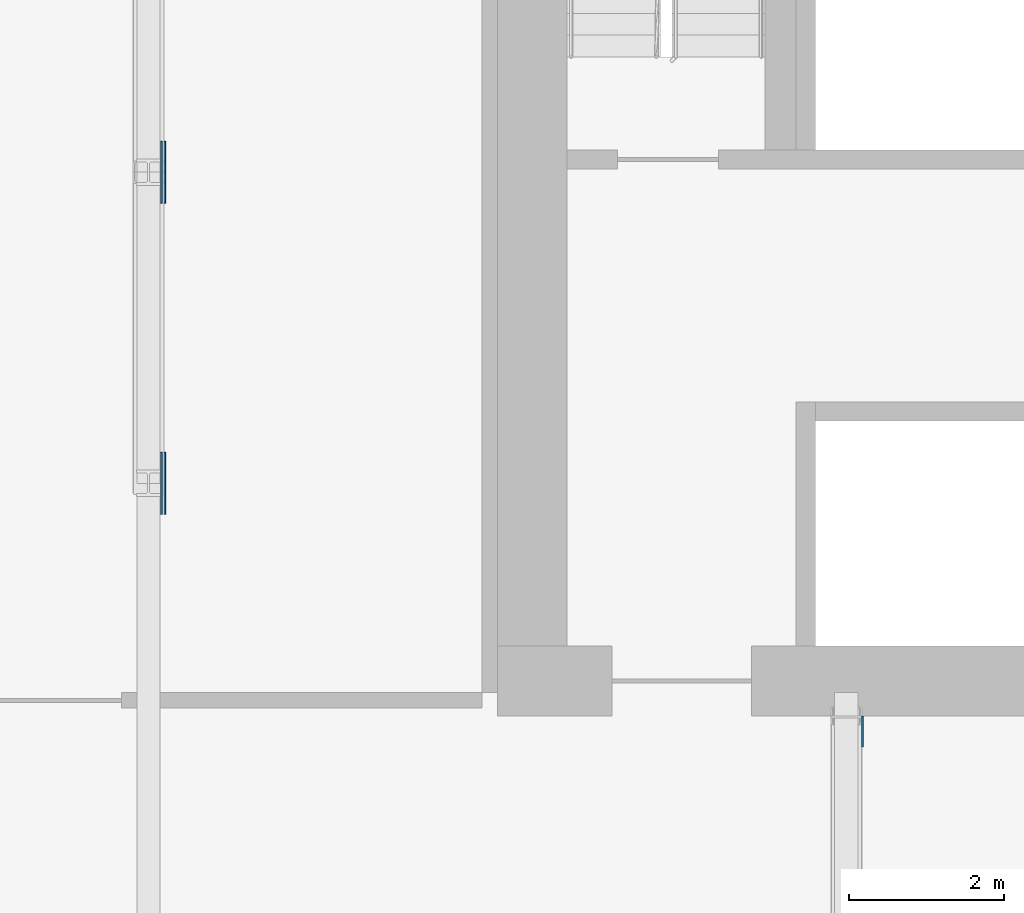
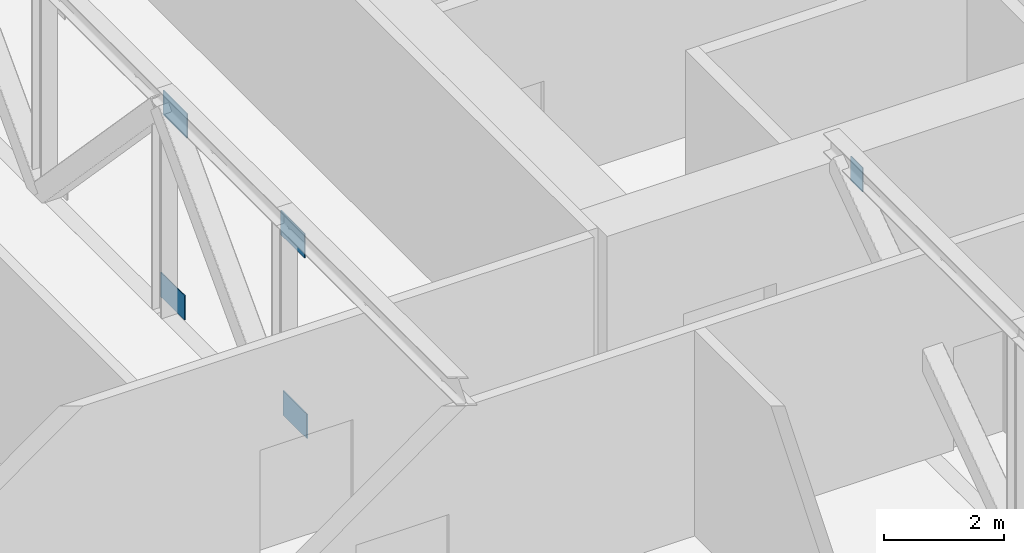
# One storey, part 13 of 22: 5 discrete accessories.
"""IFC4 building model written with IfcOpenShell, lengths in metres."""

from ifc_helpers import new_model, si_unit, direction, frame, origin, place, context, subcontext, project, spatial, polyline, outline, extrude, material, layer, layer_set, type_object, element, save


model = new_model("IFC4")

# Units and contexts
model_context = context("Model", 3, precision=1e-05, world=origin(), true_north=direction((0.0, 1.0)))
body_context = subcontext(model_context, "Body", "Model", "MODEL_VIEW")
ifc_project = project(units=[si_unit("LENGTHUNIT", "METRE"), si_unit("AREAUNIT", "SQUARE_METRE"), si_unit("VOLUMEUNIT", "CUBIC_METRE"), si_unit("PLANEANGLEUNIT", "RADIAN"), si_unit("MASSUNIT", "GRAM", prefix="KILO")], contexts=[model_context])

# Site, building, storey
site_placement = place(None, origin())
site = spatial("IfcSite", under=ifc_project, at=site_placement, CompositionType="ELEMENT")
building_placement = place(site_placement, origin())
building = spatial("IfcBuilding", under=site, at=building_placement, Name="Kajstack Hotel Tower", CompositionType="ELEMENT")
storey_placement = place(building_placement, frame((0.0, 0.0, 99.60009765625)))
storey = spatial("IfcBuildingStorey", under=building, at=storey_placement, Name="L21", CompositionType="ELEMENT", Elevation=99.60009765625)

# Discrete accessories
ifc_material = material(Name="Steel S355J2", Category="steel")
ifc_layer = layer(ifc_material, 0.02001953125)
ifc_layer_set = layer_set([ifc_layer], Name="GUSSET PLATE")
discrete_accessory_type = type_object("IfcDiscreteAccessoryType", Name="GUSSET PLATE", PredefinedType="BRACKET", material=ifc_layer_set)
for number, where, z_axis, x_axis, name in (
    (1, (9.199951171875, 4.5, 0.0), (1.0, 0.0, 0.0), (0.0, 1.0, 0.0), "Gusset plate L21-245"),
    (2, (9.155029296875, 4.5, 3.699951171875), (1.0, 0.0, 0.0), (0.0, 1.0, 0.0), "Gusset plate L21-246"),
    (3, (9.155029296875, 8.512451171875, 0.0), (1.0, 0.0, 0.0), (0.0, 1.0, 0.0), "Gusset plate L21-247"),
    (4, (9.199951171875, 8.512451171875, 3.699951171875), (1.0, 0.0, 0.0), (0.0, 1.0, 0.0), "Gusset plate L21-248"),
):
    element("IfcDiscreteAccessory", number, at=place(storey_placement, frame(where, z_axis=z_axis, x_axis=x_axis)), inside=storey, type_object=discrete_accessory_type, Name=name, PredefinedType="BRACKET", context=body_context, shape_type="SweptSolid", body=[
        extrude(outline(polyline([(-0.39990234375, 0.0), (0.39990234375, 0.0), (0.39990234375, 0.5), (-0.39990234375, 0.5), (-0.39990234375, 0.0)])), origin(), (0.0, 0.0, 1.0), 0.02001953125),
    ])
discrete_accessory_placement = place(storey_placement, frame((18.199951171875, 1.5, 3.699951171875), z_axis=(1.0, 0.0, 0.0), x_axis=(0.0, 1.0, 0.0)))
element("IfcDiscreteAccessory", 5, at=discrete_accessory_placement, inside=storey, type_object=discrete_accessory_type, Name="Gusset plate L21-269", PredefinedType="BRACKET", context=body_context, shape_type="SweptSolid", body=[
    extrude(outline(polyline([(-0.39990234375, 0.0), (-0.0048828125, 0.0), (-0.0048828125, 0.5), (-0.39990234375, 0.5), (-0.39990234375, 0.0)])), origin(), (0.0, 0.0, 1.0), 0.02001953125),
])

save(model, "model.ifc")
